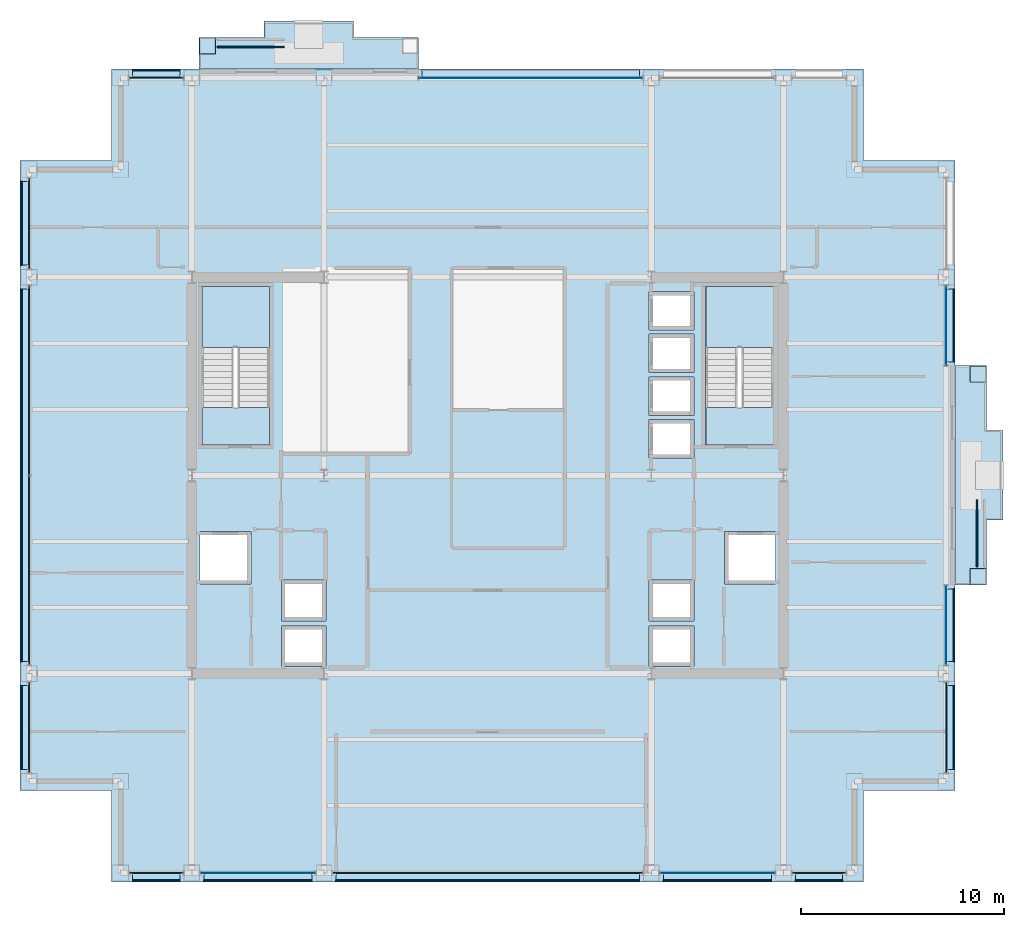
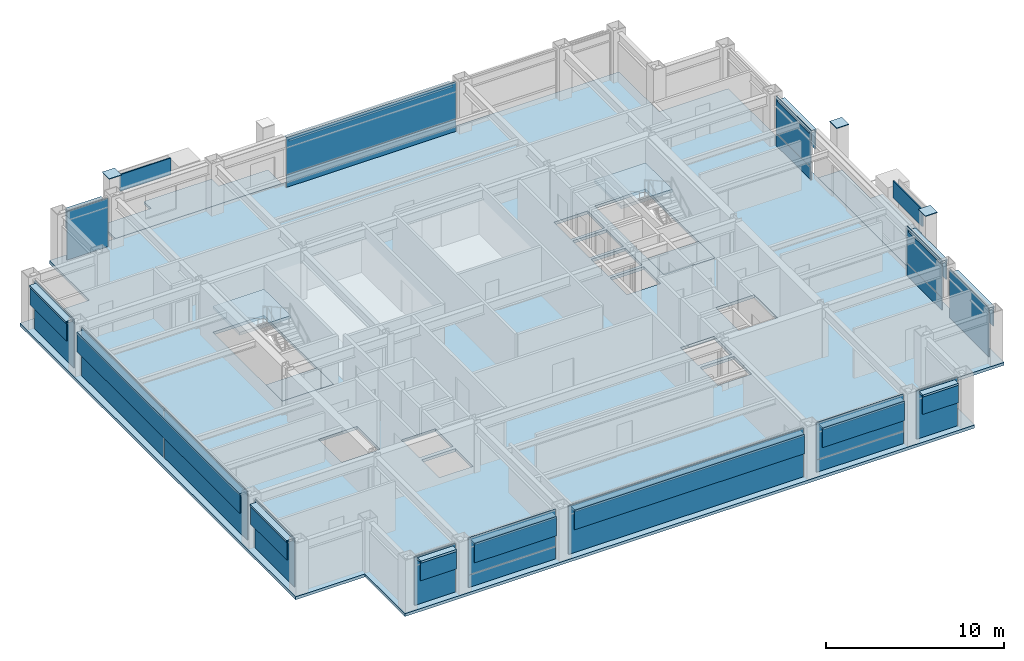
# One storey, part 23 of 29: 49 plates, 7 slabs, 15 elements without a shape of their own.
"""IFC4 building model written with IfcOpenShell, lengths in metres."""

from ifc_helpers import new_model, si_unit, direction, frame, origin, origin_2d, place, context, subcontext, project, spatial, polyline, rectangle, outline, extrude, material, layer, layer_set, type_object, element, aggregate, save


model = new_model("IFC4")

# Units and contexts
model_context = context("Model", 3, precision=1e-05, world=origin(), true_north=direction((0.0, 1.0)))
body_context = subcontext(model_context, "Body", "Model", "MODEL_VIEW")
ifc_project = project(units=[si_unit("LENGTHUNIT", "METRE"), si_unit("AREAUNIT", "SQUARE_METRE"), si_unit("VOLUMEUNIT", "CUBIC_METRE"), si_unit("PLANEANGLEUNIT", "RADIAN"), si_unit("MASSUNIT", "GRAM", prefix="KILO")], contexts=[model_context])

# Site, building, storey
site_placement = place(None, origin())
site = spatial("IfcSite", under=ifc_project, at=site_placement, CompositionType="ELEMENT")
building_placement = place(site_placement, origin())
building = spatial("IfcBuilding", under=site, at=building_placement, Name="Brelmoor Portico Tower", CompositionType="ELEMENT")
storey_placement = place(building_placement, frame((0.0, 0.0, 124.199951171875)))
storey = spatial("IfcBuildingStorey", under=building, at=storey_placement, Name="L32", CompositionType="ELEMENT", Elevation=124.199951171875)

# Plates
ifc_material_1 = material(Name="Steel Q355B", Category="steel")
ifc_layer_1 = layer(ifc_material_1, 0.044921875)
ifc_layer_set_1 = layer_set([ifc_layer_1], Name="Steel Q355B")
plate_type_1 = type_object("IfcPlateType", Name="PT-CAP-650", PredefinedType="SHEET", material=ifc_layer_set_1)
for number, where, z_axis, x_axis, name in (
    (1, (-13.780029296875, 21.1298828125, 3.60009765625), (0.0, 0.0, 1.0), (1.0, 0.0, 0.0), "L32 Proud Picture-Frame Pier PFJ-N1 Welded Head Cap Plate"),
    (2, (24.1298828125, -4.97998046875, 3.60009765625), (0.0, 0.0, 1.0), (0.0, 1.0, 0.0), "L32 Proud Picture-Frame Pier PFJ-E1 Welded Head Cap Plate"),
    (3, (24.1298828125, 4.97998046875, 3.60009765625), (0.0, 0.0, 1.0), (0.0, 1.0, 0.0), "L32 Proud Picture-Frame Pier PFJ-E2 Welded Head Cap Plate"),
):
    element("IfcPlate", number, at=place(storey_placement, frame(where, z_axis=z_axis, x_axis=x_axis)), inside=storey, type_object=plate_type_1, Name=name, PredefinedType="SHEET", context=body_context, shape_type="SweptSolid", body=[
        extrude(rectangle(XDim=0.7900390625, YDim=0.7900390625, at=origin_2d()), origin(), (0.0, 0.0, 1.0), 0.0400390625),
    ])

# Curtain wall, plate
ifc_material_2 = material(Name="Anodised Aluminium Alloy 6063-T6", Category="aluminium")
ifc_layer_2 = layer(ifc_material_2, 0.179931640625)
ifc_layer_set_2 = layer_set([ifc_layer_2], Name="Anodised Aluminium Alloy 6063-T6")
curtain_wall_type_1 = type_object("IfcCurtainWallType", Name="CW-TOWER-Z2", PredefinedType="NOTDEFINED", material=ifc_layer_set_2)
curtain_wall_1_placement = place(storey_placement, origin())
curtain_wall_1 = element("IfcCurtainWall", 4, at=curtain_wall_1_placement, inside=storey, type_object=curtain_wall_type_1, Name="L32 Curtain Wall CW-L32-01-2", PredefinedType="NOTDEFINED")
ifc_material_3 = material(Name="Double-Silver Low-E Insulated Glazing", Category="glass")
ifc_layer_3 = layer(ifc_material_3, 0.035888671875)
ifc_layer_set_3 = layer_set([ifc_layer_3], Name="Double-Silver Low-E Insulated Glazing")
plate_type_2 = type_object("IfcPlateType", Name="PT-CW-GLASS", PredefinedType="CURTAIN_PANEL", material=ifc_layer_set_3)
plate_1_placement = place(storey_placement, frame((-11.300048828125, -19.550048828125, 0.85009765625), z_axis=(0.0, 0.0, 1.0), x_axis=(1.0, 0.0, 0.0)))
plate_1 = element("IfcPlate", 5, at=plate_1_placement, type_object=plate_type_2, Name="CW-L32-01-2 Vision Glass Panel 00", PredefinedType="CURTAIN_PANEL", context=body_context, shape_type="SweptSolid", body=[
    extrude(rectangle(XDim=5.64990234375, YDim=0.035888671875, at=origin_2d()), origin(), (0.0, 0.0, 1.0), 2.550048828125),
])

curtain_wall_2_placement = place(storey_placement, origin())
curtain_wall_2 = element("IfcCurtainWall", 6, at=curtain_wall_2_placement, inside=storey, type_object=curtain_wall_type_1, Name="L32 Curtain Wall CW-L32-01-4", PredefinedType="NOTDEFINED")
plate_2_placement = place(storey_placement, frame((11.300048828125, -19.550048828125, 0.85009765625), z_axis=(0.0, 0.0, 1.0), x_axis=(1.0, 0.0, 0.0)))
plate_2 = element("IfcPlate", 7, at=plate_2_placement, type_object=plate_type_2, Name="CW-L32-01-4 Vision Glass Panel 00", PredefinedType="CURTAIN_PANEL", context=body_context, shape_type="SweptSolid", body=[
    extrude(rectangle(XDim=5.64990234375, YDim=0.035888671875, at=origin_2d()), origin(), (0.0, 0.0, 1.0), 2.550048828125),
])

curtain_wall_3_placement = place(storey_placement, origin())
curtain_wall_3 = element("IfcCurtainWall", 8, at=curtain_wall_3_placement, inside=storey, type_object=curtain_wall_type_1, Name="L32 Curtain Wall CW-L32-2R-1", PredefinedType="NOTDEFINED")
plate_3_placement = place(storey_placement, frame((2.1201171875, 19.550048828125, 0.85009765625), z_axis=(0.0, 0.0, 1.0), x_axis=(1.0, 0.0, 0.0)))
plate_3 = element("IfcPlate", 9, at=plate_3_placement, type_object=plate_type_2, Name="CW-L32-2R-1 Vision Glass Panel 00", PredefinedType="CURTAIN_PANEL", context=body_context, shape_type="SweptSolid", body=[
    extrude(rectangle(XDim=11.010009765625, YDim=0.035888671875, at=origin_2d()), origin(), (0.0, 0.0, 1.0), 2.550048828125),
])

curtain_wall_4_placement = place(storey_placement, origin())
curtain_wall_4 = element("IfcCurtainWall", 10, at=curtain_wall_4_placement, inside=storey, type_object=curtain_wall_type_1, Name="L32 Curtain Wall CW-L32-4L-2", PredefinedType="NOTDEFINED")
plate_4_placement = place(storey_placement, frame((22.550048828125, -7.3701171875, 0.85009765625), z_axis=(0.0, 0.0, 1.0), x_axis=(0.0, 1.0, 0.0)))
plate_4 = element("IfcPlate", 11, at=plate_4_placement, type_object=plate_type_2, Name="CW-L32-4L-2 Vision Glass Panel 00", PredefinedType="CURTAIN_PANEL", context=body_context, shape_type="SweptSolid", body=[
    extrude(rectangle(XDim=3.909912109375, YDim=0.035888671875, at=origin_2d()), origin(), (0.0, 0.0, 1.0), 2.550048828125),
])

curtain_wall_5_placement = place(storey_placement, origin())
curtain_wall_5 = element("IfcCurtainWall", 12, at=curtain_wall_5_placement, inside=storey, type_object=curtain_wall_type_1, Name="L32 Curtain Wall CW-L32-4R-1", PredefinedType="NOTDEFINED")
plate_5_placement = place(storey_placement, frame((22.550048828125, 7.3701171875, 0.85009765625), z_axis=(0.0, 0.0, 1.0), x_axis=(0.0, 1.0, 0.0)))
plate_5 = element("IfcPlate", 13, at=plate_5_placement, type_object=plate_type_2, Name="CW-L32-4R-1 Vision Glass Panel 00", PredefinedType="CURTAIN_PANEL", context=body_context, shape_type="SweptSolid", body=[
    extrude(rectangle(XDim=3.909912109375, YDim=0.035888671875, at=origin_2d()), origin(), (0.0, 0.0, 1.0), 2.550048828125),
])

ifc_layer_4 = layer(ifc_material_2, 0.179931640625)
ifc_layer_set_4 = layer_set([ifc_layer_4], Name="Anodised Aluminium Alloy 6063-T6")
curtain_wall_type_2 = type_object("IfcCurtainWallType", Name="CW-TOWER-Z2-XB", PredefinedType="NOTDEFINED", material=ifc_layer_set_4)
curtain_wall_6_placement = place(storey_placement, origin())
curtain_wall_6 = element("IfcCurtainWall", 14, at=curtain_wall_6_placement, inside=storey, type_object=curtain_wall_type_2, Name="L32 Curtain Wall CW-L32-01-1", PredefinedType="NOTDEFINED")
ifc_material_4 = material(Name="Pale Champagne Anodised Aluminium Panel", Category="aluminium")
ifc_layer_5 = layer(ifc_material_4, 0.050048828125)
ifc_layer_set_5 = layer_set([ifc_layer_5], Name="Pale Champagne Anodised Aluminium Panel")
plate_type_3 = type_object("IfcPlateType", Name="PT-CW-SPANDREL", PredefinedType="SHEET", material=ifc_layer_set_5)
plate_6_placement = place(storey_placement, frame((-16.300048828125, -19.550048828125, 0.0), z_axis=(0.0, 0.0, 1.0), x_axis=(1.0, 0.0, 0.0)))
plate_6 = element("IfcPlate", 15, at=plate_6_placement, type_object=plate_type_3, Name="CW-L32-01-1 Spandrel Panel 00", PredefinedType="SHEET", context=body_context, shape_type="SweptSolid", body=[
    extrude(rectangle(XDim=2.64990234375, YDim=0.050048828125, at=origin_2d()), origin(), (0.0, 0.0, 1.0), 3.330078125),
])
aggregate(curtain_wall_6, [plate_6])

# Plate
plate_7_placement = place(storey_placement, frame((-11.300048828125, -19.550048828125, 0.0), z_axis=(0.0, 0.0, 1.0), x_axis=(1.0, 0.0, 0.0)))
plate_7 = element("IfcPlate", 16, at=plate_7_placement, type_object=plate_type_3, Name="CW-L32-01-2 Spandrel Panel 00", PredefinedType="SHEET", context=body_context, shape_type="SweptSolid", body=[
    extrude(rectangle(XDim=5.64990234375, YDim=0.050048828125, at=origin_2d()), origin(), (0.0, 0.0, 1.0), 0.85009765625),
])

aggregate(curtain_wall_1, [plate_7, plate_1])

# Curtain wall, plate
curtain_wall_7_placement = place(storey_placement, origin())
curtain_wall_7 = element("IfcCurtainWall", 17, at=curtain_wall_7_placement, inside=storey, type_object=curtain_wall_type_2, Name="L32 Curtain Wall CW-L32-01-3", PredefinedType="NOTDEFINED")
plate_8_placement = place(storey_placement, frame((0.0, -19.550048828125, 0.0), z_axis=(0.0, 0.0, 1.0), x_axis=(1.0, 0.0, 0.0)))
plate_8 = element("IfcPlate", 18, at=plate_8_placement, type_object=plate_type_3, Name="CW-L32-01-3 Spandrel Panel 00", PredefinedType="SHEET", context=body_context, shape_type="SweptSolid", body=[
    extrude(rectangle(XDim=15.25, YDim=0.050048828125, at=origin_2d()), origin(), (0.0, 0.0, 1.0), 3.330078125),
])
aggregate(curtain_wall_7, [plate_8])

# Plate
plate_9_placement = place(storey_placement, frame((11.300048828125, -19.550048828125, 0.0), z_axis=(0.0, 0.0, 1.0), x_axis=(1.0, 0.0, 0.0)))
plate_9 = element("IfcPlate", 19, at=plate_9_placement, type_object=plate_type_3, Name="CW-L32-01-4 Spandrel Panel 00", PredefinedType="SHEET", context=body_context, shape_type="SweptSolid", body=[
    extrude(rectangle(XDim=5.64990234375, YDim=0.050048828125, at=origin_2d()), origin(), (0.0, 0.0, 1.0), 0.85009765625),
])

aggregate(curtain_wall_2, [plate_9, plate_2])

# Curtain wall, plate
curtain_wall_8_placement = place(storey_placement, origin())
curtain_wall_8 = element("IfcCurtainWall", 20, at=curtain_wall_8_placement, inside=storey, type_object=curtain_wall_type_2, Name="L32 Curtain Wall CW-L32-01-5", PredefinedType="NOTDEFINED")
plate_10_placement = place(storey_placement, frame((16.300048828125, -19.550048828125, 0.0), z_axis=(0.0, 0.0, 1.0), x_axis=(1.0, 0.0, 0.0)))
plate_10 = element("IfcPlate", 21, at=plate_10_placement, type_object=plate_type_3, Name="CW-L32-01-5 Spandrel Panel 00", PredefinedType="SHEET", context=body_context, shape_type="SweptSolid", body=[
    extrude(rectangle(XDim=2.64990234375, YDim=0.050048828125, at=origin_2d()), origin(), (0.0, 0.0, 1.0), 3.330078125),
])
aggregate(curtain_wall_8, [plate_10])

curtain_wall_9_placement = place(storey_placement, origin())
curtain_wall_9 = element("IfcCurtainWall", 22, at=curtain_wall_9_placement, inside=storey, type_object=curtain_wall_type_2, Name="L32 Curtain Wall CW-L32-2L", PredefinedType="NOTDEFINED")
plate_11_placement = place(storey_placement, frame((-16.300048828125, 19.550048828125, 0.0), z_axis=(0.0, 0.0, 1.0), x_axis=(1.0, 0.0, 0.0)))
plate_11 = element("IfcPlate", 23, at=plate_11_placement, type_object=plate_type_3, Name="CW-L32-2L Spandrel Panel 00", PredefinedType="SHEET", context=body_context, shape_type="SweptSolid", body=[
    extrude(rectangle(XDim=2.64990234375, YDim=0.050048828125, at=origin_2d()), origin(), (0.0, 0.0, 1.0), 3.330078125),
])
aggregate(curtain_wall_9, [plate_11])

# Plate
plate_12_placement = place(storey_placement, frame((2.1201171875, 19.550048828125, 0.0), z_axis=(0.0, 0.0, 1.0), x_axis=(1.0, 0.0, 0.0)))
plate_12 = element("IfcPlate", 24, at=plate_12_placement, type_object=plate_type_3, Name="CW-L32-2R-1 Spandrel Panel 00", PredefinedType="SHEET", context=body_context, shape_type="SweptSolid", body=[
    extrude(rectangle(XDim=11.010009765625, YDim=0.050048828125, at=origin_2d()), origin(), (0.0, 0.0, 1.0), 0.85009765625),
])

aggregate(curtain_wall_3, [plate_12, plate_3])

# Curtain wall, plate
curtain_wall_10_placement = place(storey_placement, origin())
curtain_wall_10 = element("IfcCurtainWall", 25, at=curtain_wall_10_placement, inside=storey, type_object=curtain_wall_type_2, Name="L32 Curtain Wall CW-L32-03-1", PredefinedType="NOTDEFINED")
plate_13_placement = place(storey_placement, frame((-22.550048828125, -12.39990234375, 0.0), z_axis=(0.0, 0.0, 1.0), x_axis=(0.0, 1.0, 0.0)))
plate_13 = element("IfcPlate", 26, at=plate_13_placement, type_object=plate_type_3, Name="CW-L32-03-1 Spandrel Panel 00", PredefinedType="SHEET", context=body_context, shape_type="SweptSolid", body=[
    extrude(rectangle(XDim=4.449951171875, YDim=0.050048828125, at=origin_2d()), origin(), (0.0, 0.0, 1.0), 3.330078125),
])
aggregate(curtain_wall_10, [plate_13])

# Curtain wall, plates
curtain_wall_11_placement = place(storey_placement, origin())
curtain_wall_11 = element("IfcCurtainWall", 27, at=curtain_wall_11_placement, inside=storey, type_object=curtain_wall_type_2, Name="L32 Curtain Wall CW-L32-03-2", PredefinedType="NOTDEFINED")
plate_14_placement = place(storey_placement, frame((-22.550048828125, -4.669921875, 0.0), z_axis=(0.0, 0.0, 1.0), x_axis=(0.0, 1.0, 0.0)))
plate_14 = element("IfcPlate", 28, at=plate_14_placement, type_object=plate_type_3, Name="CW-L32-03-2 Spandrel Panel 00", PredefinedType="SHEET", context=body_context, shape_type="SweptSolid", body=[
    extrude(rectangle(XDim=9.31005859375, YDim=0.050048828125, at=origin_2d()), origin(), (0.0, 0.0, 1.0), 3.330078125),
])
plate_15_placement = place(storey_placement, frame((-22.550048828125, 4.669921875, 0.0), z_axis=(0.0, 0.0, 1.0), x_axis=(0.0, 1.0, 0.0)))
plate_15 = element("IfcPlate", 29, at=plate_15_placement, type_object=plate_type_3, Name="CW-L32-03-2 Spandrel Panel 01", PredefinedType="SHEET", context=body_context, shape_type="SweptSolid", body=[
    extrude(rectangle(XDim=9.31005859375, YDim=0.050048828125, at=origin_2d()), origin(), (0.0, 0.0, 1.0), 3.330078125),
])
aggregate(curtain_wall_11, [plate_14, plate_15])

# Curtain wall, plate
curtain_wall_12_placement = place(storey_placement, origin())
curtain_wall_12 = element("IfcCurtainWall", 30, at=curtain_wall_12_placement, inside=storey, type_object=curtain_wall_type_2, Name="L32 Curtain Wall CW-L32-03-3", PredefinedType="NOTDEFINED")
plate_16_placement = place(storey_placement, frame((-22.550048828125, 12.39990234375, 0.0), z_axis=(0.0, 0.0, 1.0), x_axis=(0.0, 1.0, 0.0)))
plate_16 = element("IfcPlate", 31, at=plate_16_placement, type_object=plate_type_3, Name="CW-L32-03-3 Spandrel Panel 00", PredefinedType="SHEET", context=body_context, shape_type="SweptSolid", body=[
    extrude(rectangle(XDim=4.449951171875, YDim=0.050048828125, at=origin_2d()), origin(), (0.0, 0.0, 1.0), 3.330078125),
])
aggregate(curtain_wall_12, [plate_16])

curtain_wall_13_placement = place(storey_placement, origin())
curtain_wall_13 = element("IfcCurtainWall", 32, at=curtain_wall_13_placement, inside=storey, type_object=curtain_wall_type_2, Name="L32 Curtain Wall CW-L32-4L-1", PredefinedType="NOTDEFINED")
plate_17_placement = place(storey_placement, frame((22.550048828125, -12.39990234375, 0.0), z_axis=(0.0, 0.0, 1.0), x_axis=(0.0, 1.0, 0.0)))
plate_17 = element("IfcPlate", 33, at=plate_17_placement, type_object=plate_type_3, Name="CW-L32-4L-1 Spandrel Panel 00", PredefinedType="SHEET", context=body_context, shape_type="SweptSolid", body=[
    extrude(rectangle(XDim=4.449951171875, YDim=0.050048828125, at=origin_2d()), origin(), (0.0, 0.0, 1.0), 3.330078125),
])
aggregate(curtain_wall_13, [plate_17])

# Plate
plate_18_placement = place(storey_placement, frame((22.550048828125, -7.3701171875, 0.0), z_axis=(0.0, 0.0, 1.0), x_axis=(0.0, 1.0, 0.0)))
plate_18 = element("IfcPlate", 34, at=plate_18_placement, type_object=plate_type_3, Name="CW-L32-4L-2 Spandrel Panel 00", PredefinedType="SHEET", context=body_context, shape_type="SweptSolid", body=[
    extrude(rectangle(XDim=3.909912109375, YDim=0.050048828125, at=origin_2d()), origin(), (0.0, 0.0, 1.0), 0.85009765625),
])

aggregate(curtain_wall_4, [plate_18, plate_4])

plate_19_placement = place(storey_placement, frame((22.550048828125, 7.3701171875, 0.0), z_axis=(0.0, 0.0, 1.0), x_axis=(0.0, 1.0, 0.0)))
plate_19 = element("IfcPlate", 35, at=plate_19_placement, type_object=plate_type_3, Name="CW-L32-4R-1 Spandrel Panel 00", PredefinedType="SHEET", context=body_context, shape_type="SweptSolid", body=[
    extrude(rectangle(XDim=3.909912109375, YDim=0.050048828125, at=origin_2d()), origin(), (0.0, 0.0, 1.0), 0.85009765625),
])

aggregate(curtain_wall_5, [plate_19, plate_5])

# Plates
ifc_material_5 = material(Name="Powder-Coated Aluminium Shuttered Jalousie Louvre", Category="aluminium")
ifc_layer_6 = layer(ifc_material_5, 0.06005859375)
ifc_layer_set_6 = layer_set([ifc_layer_6], Name="Powder-Coated Aluminium Shuttered Jalousie Louvre")
plate_type_4 = type_object("IfcPlateType", Name="PT-JALOUSIE-SHUTTER", PredefinedType="SHEET", material=ifc_layer_set_6)
plate_20_placement = place(storey_placement, frame((-16.300048828125, -19.929931640625, 1.8740234375), z_axis=(0.0, 0.0, 1.0), x_axis=(1.0, 0.0, 0.0)))
element("IfcPlate", 36, at=plate_20_placement, inside=storey, type_object=plate_type_4, Name="CW-L32-01-1 Perforated Jalousie Solar Screen", PredefinedType="SHEET", context=body_context, shape_type="SweptSolid", body=[
    extrude(rectangle(XDim=2.320068359375, YDim=0.06494140625, at=origin_2d()), origin(), (0.0, 0.0, 1.0), 1.325927734375),
])
plate_21_placement = place(storey_placement, frame((-11.300048828125, -19.929931640625, 1.8740234375), z_axis=(0.0, 0.0, 1.0), x_axis=(1.0, 0.0, 0.0)))
element("IfcPlate", 37, at=plate_21_placement, inside=storey, type_object=plate_type_4, Name="CW-L32-01-2 Perforated Jalousie Solar Screen", PredefinedType="SHEET", context=body_context, shape_type="SweptSolid", body=[
    extrude(rectangle(XDim=5.320068359375, YDim=0.06494140625, at=origin_2d()), origin(), (0.0, 0.0, 1.0), 1.325927734375),
])
plate_22_placement = place(storey_placement, frame((0.0, -19.929931640625, 1.8740234375), z_axis=(0.0, 0.0, 1.0), x_axis=(1.0, 0.0, 0.0)))
element("IfcPlate", 38, at=plate_22_placement, inside=storey, type_object=plate_type_4, Name="CW-L32-01-3 Perforated Jalousie Solar Screen", PredefinedType="SHEET", context=body_context, shape_type="SweptSolid", body=[
    extrude(rectangle(XDim=14.919921875, YDim=0.06494140625, at=origin_2d()), origin(), (0.0, 0.0, 1.0), 1.325927734375),
])
plate_23_placement = place(storey_placement, frame((11.300048828125, -19.929931640625, 1.8740234375), z_axis=(0.0, 0.0, 1.0), x_axis=(1.0, 0.0, 0.0)))
element("IfcPlate", 39, at=plate_23_placement, inside=storey, type_object=plate_type_4, Name="CW-L32-01-4 Perforated Jalousie Solar Screen", PredefinedType="SHEET", context=body_context, shape_type="SweptSolid", body=[
    extrude(rectangle(XDim=5.320068359375, YDim=0.06494140625, at=origin_2d()), origin(), (0.0, 0.0, 1.0), 1.325927734375),
])
for number, where, z_axis, x_axis, name in (
    (40, (16.300048828125, -19.929931640625, 1.8740234375), (0.0, 0.0, 1.0), (1.0, 0.0, 0.0), "CW-L32-01-5 Perforated Jalousie Solar Screen"),
    (41, (-16.300048828125, 19.929931640625, 1.8740234375), (0.0, 0.0, 1.0), (1.0, 0.0, 0.0), "CW-L32-2L Perforated Jalousie Solar Screen"),
):
    element("IfcPlate", number, at=place(storey_placement, frame(where, z_axis=z_axis, x_axis=x_axis)), inside=storey, type_object=plate_type_4, Name=name, PredefinedType="SHEET", context=body_context, shape_type="SweptSolid", body=[
        extrude(rectangle(XDim=2.320068359375, YDim=0.06494140625, at=origin_2d()), origin(), (0.0, 0.0, 1.0), 1.325927734375),
    ])
plate_24_placement = place(storey_placement, frame((-11.64990234375, 21.080078125, 2.275146484375), z_axis=(0.0, 0.0, 1.0), x_axis=(1.0, 0.0, 0.0)))
element("IfcPlate", 42, at=plate_24_placement, inside=storey, type_object=plate_type_4, Name="L32 Shuttered Veranda Screen N", PredefinedType="SHEET", context=body_context, shape_type="SweptSolid", body=[
    extrude(rectangle(XDim=3.300048828125, YDim=0.080078125, at=origin_2d()), origin(), (0.0, 0.0, 1.0), 1.14990234375),
])
plate_25_placement = place(storey_placement, frame((-22.929931640625, -12.39990234375, 1.8740234375), z_axis=(0.0, 0.0, 1.0), x_axis=(0.0, 1.0, 0.0)))
element("IfcPlate", 43, at=plate_25_placement, inside=storey, type_object=plate_type_4, Name="CW-L32-03-1 Perforated Jalousie Solar Screen", PredefinedType="SHEET", context=body_context, shape_type="SweptSolid", body=[
    extrude(rectangle(XDim=4.1201171875, YDim=0.06494140625, at=origin_2d()), origin(), (0.0, 0.0, 1.0), 1.325927734375),
])
plate_26_placement = place(storey_placement, frame((-22.929931640625, 0.0, 1.8740234375), z_axis=(0.0, 0.0, 1.0), x_axis=(0.0, 1.0, 0.0)))
element("IfcPlate", 44, at=plate_26_placement, inside=storey, type_object=plate_type_4, Name="CW-L32-03-2 Perforated Jalousie Solar Screen", PredefinedType="SHEET", context=body_context, shape_type="SweptSolid", body=[
    extrude(rectangle(XDim=18.320068359375, YDim=0.06494140625, at=origin_2d()), origin(), (0.0, 0.0, 1.0), 1.325927734375),
])
for number, where, z_axis, x_axis, name in (
    (45, (-22.929931640625, 12.39990234375, 1.8740234375), (0.0, 0.0, 1.0), (0.0, 1.0, 0.0), "CW-L32-03-3 Perforated Jalousie Solar Screen"),
    (46, (22.929931640625, -12.39990234375, 1.8740234375), (0.0, 0.0, 1.0), (0.0, 1.0, 0.0), "CW-L32-4L-1 Perforated Jalousie Solar Screen"),
):
    element("IfcPlate", number, at=place(storey_placement, frame(where, z_axis=z_axis, x_axis=x_axis)), inside=storey, type_object=plate_type_4, Name=name, PredefinedType="SHEET", context=body_context, shape_type="SweptSolid", body=[
        extrude(rectangle(XDim=4.1201171875, YDim=0.06494140625, at=origin_2d()), origin(), (0.0, 0.0, 1.0), 1.325927734375),
    ])
for number, where, z_axis, x_axis, name in (
    (47, (22.929931640625, -7.3701171875, 1.8740234375), (0.0, 0.0, 1.0), (0.0, 1.0, 0.0), "CW-L32-4L-2 Perforated Jalousie Solar Screen"),
    (48, (22.929931640625, 7.3701171875, 1.8740234375), (0.0, 0.0, 1.0), (0.0, 1.0, 0.0), "CW-L32-4R-1 Perforated Jalousie Solar Screen"),
):
    element("IfcPlate", number, at=place(storey_placement, frame(where, z_axis=z_axis, x_axis=x_axis)), inside=storey, type_object=plate_type_4, Name=name, PredefinedType="SHEET", context=body_context, shape_type="SweptSolid", body=[
        extrude(rectangle(XDim=3.580078125, YDim=0.06494140625, at=origin_2d()), origin(), (0.0, 0.0, 1.0), 1.325927734375),
    ])
plate_27_placement = place(storey_placement, frame((24.080078125, -2.85009765625, 2.275146484375), z_axis=(0.0, 0.0, 1.0), x_axis=(0.0, 1.0, 0.0)))
element("IfcPlate", 49, at=plate_27_placement, inside=storey, type_object=plate_type_4, Name="L32 Shuttered Veranda Screen E", PredefinedType="SHEET", context=body_context, shape_type="SweptSolid", body=[
    extrude(rectangle(XDim=3.300048828125, YDim=0.080078125, at=origin_2d()), origin(), (0.0, 0.0, 1.0), 1.14990234375),
])
ifc_material_6 = material(Name="Pale Champagne Perforated Aluminium Solar Screen", Category="aluminium")
ifc_layer_7 = layer(ifc_material_6, 0.054931640625)
ifc_layer_set_7 = layer_set([ifc_layer_7], Name="Pale Champagne Perforated Aluminium Solar Screen")
plate_type_5 = type_object("IfcPlateType", Name="PT-SOLAR-LOUVRE", PredefinedType="SHEET", material=ifc_layer_set_7)
plate_28_placement = place(storey_placement, frame((-16.300048828125, -19.760009765625, 3.09033203125), z_axis=(0.0, 0.0, 1.0), x_axis=(1.0, 0.0, 0.0)))
element("IfcPlate", 50, at=plate_28_placement, inside=storey, type_object=plate_type_5, Name="CW-L32-01-1 Caribbean Brise-Soleil Solar Screen", PredefinedType="SHEET", context=body_context, shape_type="SweptSolid", body=[
    extrude(rectangle(XDim=2.320068359375, YDim=0.4599609375, at=origin_2d()), origin(), (0.0, 0.0, 1.0), 0.139892578125),
])
plate_29_placement = place(storey_placement, frame((-11.300048828125, -19.760009765625, 3.09033203125), z_axis=(0.0, 0.0, 1.0), x_axis=(1.0, 0.0, 0.0)))
element("IfcPlate", 51, at=plate_29_placement, inside=storey, type_object=plate_type_5, Name="CW-L32-01-2 Caribbean Brise-Soleil Solar Screen", PredefinedType="SHEET", context=body_context, shape_type="SweptSolid", body=[
    extrude(rectangle(XDim=5.320068359375, YDim=0.4599609375, at=origin_2d()), origin(), (0.0, 0.0, 1.0), 0.139892578125),
])
plate_30_placement = place(storey_placement, frame((0.0, -19.760009765625, 3.09033203125), z_axis=(0.0, 0.0, 1.0), x_axis=(1.0, 0.0, 0.0)))
element("IfcPlate", 52, at=plate_30_placement, inside=storey, type_object=plate_type_5, Name="CW-L32-01-3 Caribbean Brise-Soleil Solar Screen", PredefinedType="SHEET", context=body_context, shape_type="SweptSolid", body=[
    extrude(rectangle(XDim=14.919921875, YDim=0.4599609375, at=origin_2d()), origin(), (0.0, 0.0, 1.0), 0.139892578125),
])
plate_31_placement = place(storey_placement, frame((11.300048828125, -19.760009765625, 3.09033203125), z_axis=(0.0, 0.0, 1.0), x_axis=(1.0, 0.0, 0.0)))
element("IfcPlate", 53, at=plate_31_placement, inside=storey, type_object=plate_type_5, Name="CW-L32-01-4 Caribbean Brise-Soleil Solar Screen", PredefinedType="SHEET", context=body_context, shape_type="SweptSolid", body=[
    extrude(rectangle(XDim=5.320068359375, YDim=0.4599609375, at=origin_2d()), origin(), (0.0, 0.0, 1.0), 0.139892578125),
])
for number, where, z_axis, x_axis, name in (
    (54, (16.300048828125, -19.760009765625, 3.09033203125), (0.0, 0.0, 1.0), (1.0, 0.0, 0.0), "CW-L32-01-5 Caribbean Brise-Soleil Solar Screen"),
    (55, (-16.300048828125, 19.760009765625, 3.09033203125), (0.0, 0.0, 1.0), (1.0, 0.0, 0.0), "CW-L32-2L Caribbean Brise-Soleil Solar Screen"),
):
    element("IfcPlate", number, at=place(storey_placement, frame(where, z_axis=z_axis, x_axis=x_axis)), inside=storey, type_object=plate_type_5, Name=name, PredefinedType="SHEET", context=body_context, shape_type="SweptSolid", body=[
        extrude(rectangle(XDim=2.320068359375, YDim=0.4599609375, at=origin_2d()), origin(), (0.0, 0.0, 1.0), 0.139892578125),
    ])
plate_32_placement = place(storey_placement, frame((2.1201171875, 19.760009765625, 3.09033203125), z_axis=(0.0, 0.0, 1.0), x_axis=(1.0, 0.0, 0.0)))
element("IfcPlate", 56, at=plate_32_placement, inside=storey, type_object=plate_type_5, Name="CW-L32-2R-1 Caribbean Brise-Soleil Solar Screen", PredefinedType="SHEET", context=body_context, shape_type="SweptSolid", body=[
    extrude(rectangle(XDim=10.679931640625, YDim=0.4599609375, at=origin_2d()), origin(), (0.0, 0.0, 1.0), 0.139892578125),
])
plate_33_placement = place(storey_placement, frame((-22.760009765625, -12.39990234375, 3.09033203125), z_axis=(0.0, 0.0, 1.0), x_axis=(0.0, 1.0, 0.0)))
element("IfcPlate", 57, at=plate_33_placement, inside=storey, type_object=plate_type_5, Name="CW-L32-03-1 Caribbean Brise-Soleil Solar Screen", PredefinedType="SHEET", context=body_context, shape_type="SweptSolid", body=[
    extrude(rectangle(XDim=4.1201171875, YDim=0.4599609375, at=origin_2d()), origin(), (0.0, 0.0, 1.0), 0.139892578125),
])
plate_34_placement = place(storey_placement, frame((-22.760009765625, 0.0, 3.09033203125), z_axis=(0.0, 0.0, 1.0), x_axis=(0.0, 1.0, 0.0)))
element("IfcPlate", 58, at=plate_34_placement, inside=storey, type_object=plate_type_5, Name="CW-L32-03-2 Caribbean Brise-Soleil Solar Screen", PredefinedType="SHEET", context=body_context, shape_type="SweptSolid", body=[
    extrude(rectangle(XDim=18.320068359375, YDim=0.4599609375, at=origin_2d()), origin(), (0.0, 0.0, 1.0), 0.139892578125),
])
for number, where, z_axis, x_axis, name in (
    (59, (-22.760009765625, 12.39990234375, 3.09033203125), (0.0, 0.0, 1.0), (0.0, 1.0, 0.0), "CW-L32-03-3 Caribbean Brise-Soleil Solar Screen"),
    (60, (22.760009765625, -12.39990234375, 3.09033203125), (0.0, 0.0, 1.0), (0.0, 1.0, 0.0), "CW-L32-4L-1 Caribbean Brise-Soleil Solar Screen"),
):
    element("IfcPlate", number, at=place(storey_placement, frame(where, z_axis=z_axis, x_axis=x_axis)), inside=storey, type_object=plate_type_5, Name=name, PredefinedType="SHEET", context=body_context, shape_type="SweptSolid", body=[
        extrude(rectangle(XDim=4.1201171875, YDim=0.4599609375, at=origin_2d()), origin(), (0.0, 0.0, 1.0), 0.139892578125),
    ])
for number, where, z_axis, x_axis, name in (
    (61, (22.760009765625, -7.3701171875, 3.09033203125), (0.0, 0.0, 1.0), (0.0, 1.0, 0.0), "CW-L32-4L-2 Caribbean Brise-Soleil Solar Screen"),
    (62, (22.760009765625, 7.3701171875, 3.09033203125), (0.0, 0.0, 1.0), (0.0, 1.0, 0.0), "CW-L32-4R-1 Caribbean Brise-Soleil Solar Screen"),
):
    element("IfcPlate", number, at=place(storey_placement, frame(where, z_axis=z_axis, x_axis=x_axis)), inside=storey, type_object=plate_type_5, Name=name, PredefinedType="SHEET", context=body_context, shape_type="SweptSolid", body=[
        extrude(rectangle(XDim=3.580078125, YDim=0.4599609375, at=origin_2d()), origin(), (0.0, 0.0, 1.0), 0.139892578125),
    ])

# Slabs
ifc_material_7 = material(Name="Concrete C40", Category="concrete")
ifc_layer_8 = layer(ifc_material_7, 0.199951171875)
ifc_layer_set_8 = layer_set([ifc_layer_8], Name="Concrete C40")
slab_type_1 = type_object("IfcSlabType", Name="SL-BALCONY-200", PredefinedType="FLOOR", material=ifc_layer_set_8)
slab_1_placement = place(storey_placement, frame((0.0, 0.0, -0.199951171875)))
element("IfcSlab", 63, at=slab_1_placement, inside=storey, type_object=slab_type_1, Name="L32 Loggia Tree Balcony Slab N", PredefinedType="FLOOR", context=body_context, shape_type="SweptSolid", body=[
    extrude(outline(polyline([(-14.199951171875, 20.0), (-3.39990234375, 20.0), (-3.39990234375, 21.550048828125), (-6.60009765625, 21.550048828125), (-6.60009765625, 22.35009765625), (-11.0, 22.35009765625), (-11.0, 21.550048828125), (-14.199951171875, 21.550048828125), (-14.199951171875, 20.0)])), origin(), (0.0, 0.0, 1.0), 0.199951171875),
])
slab_2_placement = place(storey_placement, frame((0.0, 0.0, -0.199951171875)))
element("IfcSlab", 64, at=slab_2_placement, inside=storey, type_object=slab_type_1, Name="L32 Loggia Tree Balcony Slab E", PredefinedType="FLOOR", context=body_context, shape_type="SweptSolid", body=[
    extrude(outline(polyline([(23.0, -5.39990234375), (24.550048828125, -5.39990234375), (24.550048828125, -2.199951171875), (25.35009765625, -2.199951171875), (25.35009765625, 2.199951171875), (24.550048828125, 2.199951171875), (24.550048828125, 5.39990234375), (23.0, 5.39990234375), (23.0, -5.39990234375)])), origin(), (0.0, 0.0, 1.0), 0.199951171875),
])
ifc_layer_9 = layer(ifc_material_7, 0.199951171875)
ifc_layer_set_9 = layer_set([ifc_layer_9], Name="Concrete C40")
slab_type_2 = type_object("IfcSlabType", Name="SL-FLOOR-200", PredefinedType="FLOOR", material=ifc_layer_set_9)
slab_3_placement = place(storey_placement, frame((0.0, 0.0, -0.199951171875)))
element("IfcSlab", 65, at=slab_3_placement, inside=storey, type_object=slab_type_2, Name="L32 Main Structural Floor Slab", PredefinedType="FLOOR", context=body_context, shape_type="SweptSolid", body=[
    extrude(outline(polyline([(-18.5, -20.0), (18.5, -20.0), (18.5, -15.5), (23.0, -15.5), (23.0, 15.5), (18.5, 15.5), (18.5, 20.0), (-18.5, 20.0), (-18.5, 15.5), (-23.0, 15.5), (-23.0, -15.5), (-18.5, -15.5), (-18.5, -20.0)]), holes=[polyline([(-10.72998046875, 1.5), (-10.72998046875, 9.300048828125), (-14.050048828125, 9.300048828125), (-14.050048828125, 1.5), (-10.72998046875, 1.5)]), polyline([(14.050048828125, 1.5), (14.050048828125, 9.300048828125), (10.72998046875, 9.300048828125), (10.72998046875, 1.5), (14.050048828125, 1.5)]), polyline([(7.949951171875, 0.85009765625), (10.14990234375, 0.85009765625), (10.14990234375, 2.75), (7.949951171875, 2.75), (7.949951171875, 0.85009765625)]), polyline([(7.949951171875, 2.949951171875), (10.14990234375, 2.949951171875), (10.14990234375, 4.85009765625), (7.949951171875, 4.85009765625), (7.949951171875, 2.949951171875)]), polyline([(7.949951171875, 5.050048828125), (10.14990234375, 5.050048828125), (10.14990234375, 6.949951171875), (7.949951171875, 6.949951171875), (7.949951171875, 5.050048828125)]), polyline([(7.949951171875, 7.14990234375), (10.14990234375, 7.14990234375), (10.14990234375, 9.050048828125), (7.949951171875, 9.050048828125), (7.949951171875, 7.14990234375)]), polyline([(-10.14990234375, -9.39990234375), (-7.949951171875, -9.39990234375), (-7.949951171875, -7.39990234375), (-10.14990234375, -7.39990234375), (-10.14990234375, -9.39990234375)]), polyline([(-10.14990234375, -7.14990234375), (-7.949951171875, -7.14990234375), (-7.949951171875, -5.14990234375), (-10.14990234375, -5.14990234375), (-10.14990234375, -7.14990234375)]), polyline([(7.949951171875, -9.39990234375), (10.14990234375, -9.39990234375), (10.14990234375, -7.39990234375), (7.949951171875, -7.39990234375), (7.949951171875, -9.39990234375)]), polyline([(7.949951171875, -7.14990234375), (10.14990234375, -7.14990234375), (10.14990234375, -5.14990234375), (7.949951171875, -5.14990234375), (7.949951171875, -7.14990234375)]), polyline([(-14.14990234375, -5.35009765625), (-11.64990234375, -5.35009765625), (-11.64990234375, -2.75), (-14.14990234375, -2.75), (-14.14990234375, -5.35009765625)]), polyline([(11.64990234375, -5.35009765625), (14.14990234375, -5.35009765625), (14.14990234375, -2.75), (11.64990234375, -2.75), (11.64990234375, -5.35009765625)])]), origin(), (0.0, 0.0, 1.0), 0.199951171875),
])

# Stair, slab
stair_type_1 = type_object("IfcStairType", Name="ST-CORE-W", PredefinedType="HALF_TURN_STAIR", material=ifc_material_7)
stair_1_placement = place(storey_placement, origin())
stair_1 = element("IfcStair", 66, at=stair_1_placement, inside=storey, type_object=stair_type_1, Name="L32 Protected Core Exit Stair ST-W", PredefinedType="HALF_TURN_STAIR")
ifc_layer_10 = layer(ifc_material_7, 0.179931640625)
ifc_layer_set_10 = layer_set([ifc_layer_10], Name="Concrete C40")
slab_type_3 = type_object("IfcSlabType", Name="SL-LANDING-180", PredefinedType="LANDING", material=ifc_layer_set_10)
slab_4_placement = place(storey_placement, frame((0.0, 0.0, 1.60009765625)))
slab_4 = element("IfcSlab", 67, at=slab_4_placement, type_object=slab_type_3, Name="ST-W landing 1", PredefinedType="LANDING", context=body_context, shape_type="SweptSolid", body=[
    extrude(outline(polyline([(-10.72998046875, 6.300048828125), (-10.72998046875, 9.300048828125), (-14.050048828125, 9.300048828125), (-14.050048828125, 6.300048828125), (-10.72998046875, 6.300048828125)])), origin(), (0.0, 0.0, 1.0), 0.199951171875),
])
aggregate(stair_1, [slab_4])

stair_type_2 = type_object("IfcStairType", Name="ST-CORE-E", PredefinedType="HALF_TURN_STAIR", material=ifc_material_7)
stair_2_placement = place(storey_placement, origin())
stair_2 = element("IfcStair", 68, at=stair_2_placement, inside=storey, type_object=stair_type_2, Name="L32 Protected Core Exit Stair ST-E", PredefinedType="HALF_TURN_STAIR")
slab_5_placement = place(storey_placement, frame((0.0, 0.0, 1.60009765625)))
slab_5 = element("IfcSlab", 69, at=slab_5_placement, type_object=slab_type_3, Name="ST-E landing 1", PredefinedType="LANDING", context=body_context, shape_type="SweptSolid", body=[
    extrude(outline(polyline([(14.050048828125, 6.300048828125), (14.050048828125, 9.300048828125), (10.72998046875, 9.300048828125), (10.72998046875, 6.300048828125), (14.050048828125, 6.300048828125)])), origin(), (0.0, 0.0, 1.0), 0.199951171875),
])
aggregate(stair_2, [slab_5])

# Slabs
ifc_layer_11 = layer(ifc_material_7, 0.199951171875)
ifc_layer_set_11 = layer_set([ifc_layer_11], Name="Concrete C40")
slab_type_4 = type_object("IfcSlabType", Name="SL-STAIR-FL200", PredefinedType="LANDING", material=ifc_layer_set_11)
slab_6_placement = place(storey_placement, frame((0.0, 0.0, -0.199951171875)))
element("IfcSlab", 70, at=slab_6_placement, inside=storey, type_object=slab_type_4, Name="L32 ST-W Structural Floor Landing Slab", PredefinedType="LANDING", context=body_context, shape_type="SweptSolid", body=[
    extrude(outline(polyline([(-10.72998046875, 1.5), (-10.72998046875, 3.35009765625), (-14.050048828125, 3.35009765625), (-14.050048828125, 1.5), (-10.72998046875, 1.5)])), origin(), (0.0, 0.0, 1.0), 0.199951171875),
])
slab_7_placement = place(storey_placement, frame((0.0, 0.0, -0.199951171875)))
element("IfcSlab", 71, at=slab_7_placement, inside=storey, type_object=slab_type_4, Name="L32 ST-E Structural Floor Landing Slab", PredefinedType="LANDING", context=body_context, shape_type="SweptSolid", body=[
    extrude(outline(polyline([(14.050048828125, 1.5), (14.050048828125, 3.35009765625), (10.72998046875, 3.35009765625), (10.72998046875, 1.5), (14.050048828125, 1.5)])), origin(), (0.0, 0.0, 1.0), 0.199951171875),
])

save(model, "model.ifc")
